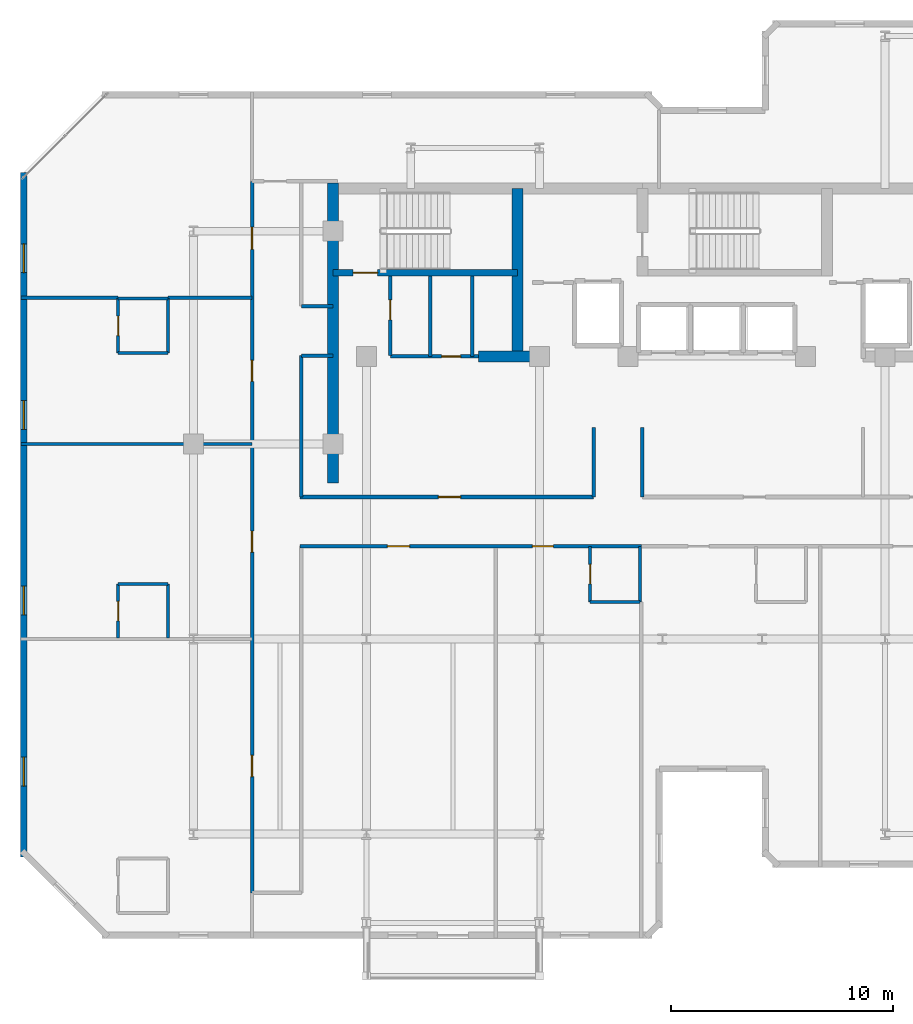
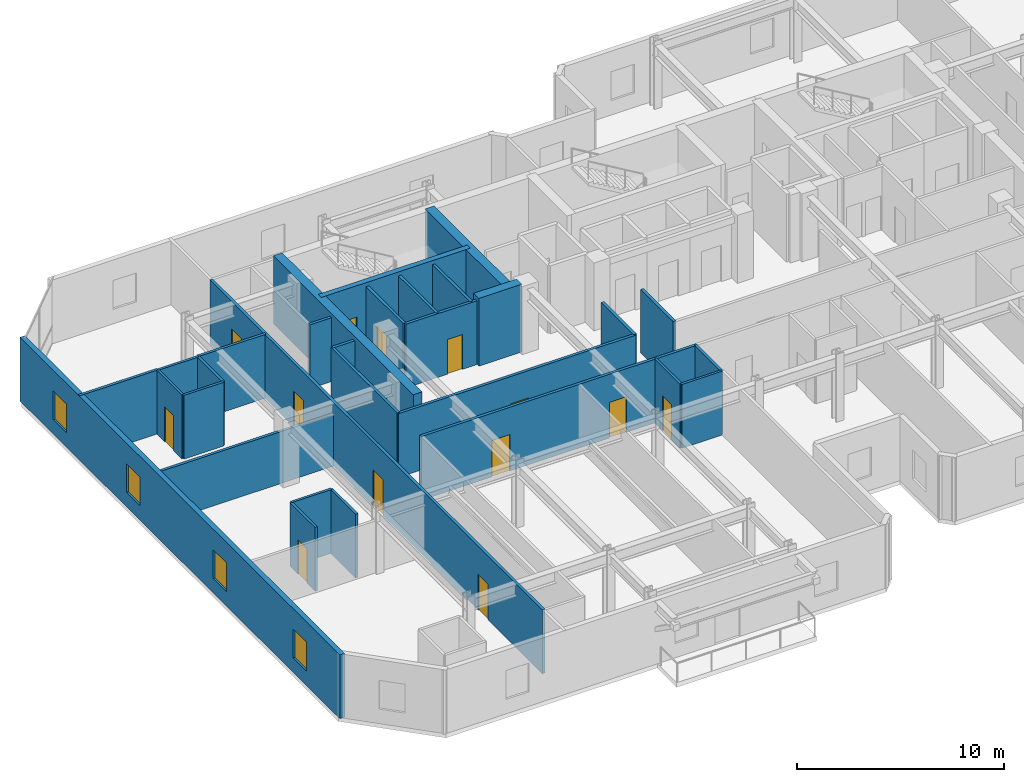
# One storey, part 4 of 10: 30 walls, 13 doors, 4 windows, 17 openings.
"""IFC4 building model written with IfcOpenShell, lengths in metres."""

from ifc_helpers import new_model, si_unit, direction, frame, frame_2d, origin, place, context, subcontext, project, spatial, rectangle, extrude, material, layer, layer_set, type_object, element, fill, save


model = new_model("IFC4")

# Units and contexts
model_context = context("Model", 3, precision=1e-05, world=origin(), true_north=direction((0.0, 1.0)))
body_context = subcontext(model_context, "Body", "Model", "MODEL_VIEW")
ifc_project = project(units=[si_unit("LENGTHUNIT", "METRE"), si_unit("AREAUNIT", "SQUARE_METRE"), si_unit("VOLUMEUNIT", "CUBIC_METRE"), si_unit("PLANEANGLEUNIT", "RADIAN"), si_unit("MASSUNIT", "GRAM", prefix="KILO")], contexts=[model_context])

# Site, building, storey
site_placement = place(None, origin())
site = spatial("IfcSite", under=ifc_project, at=site_placement, CompositionType="ELEMENT")
building_placement = place(site_placement, origin())
building = spatial("IfcBuilding", under=site, at=building_placement, Name="Kestravale Grand Hotel", CompositionType="ELEMENT")
storey_placement = place(building_placement, frame((0.0, 0.0, 273.39990234375)))
storey = spatial("IfcBuildingStorey", under=building, at=storey_placement, Name="L68", CompositionType="ELEMENT", Elevation=273.39990234375)

# Walls
ifc_material_1 = material(Name="Concrete f'c 50 MPa", Category="concrete")
ifc_layer_1 = layer(ifc_material_1, 0.5)
ifc_layer_set_1 = layer_set([ifc_layer_1], Name="EW-CORE-500")
wall_type_1 = type_object("IfcWallType", Name="EW-CORE-500", PredefinedType="SHEAR", material=ifc_layer_set_1)
wall_1_placement = place(storey_placement, frame((21.89990234375, 27.050048828125, 0.0), z_axis=(0.0, 0.0, 1.0), x_axis=(0.0, 1.0, 0.0)))
element("IfcWall", 1, at=wall_1_placement, inside=storey, type_object=wall_type_1, Name="L68 core shear wall W1", PredefinedType="SHEAR", context=body_context, shape_type="SweptSolid", body=[
    extrude(rectangle(XDim=13.52001953125, YDim=0.5, at=frame_2d((6.760009765625, 0.0))), origin(), (0.0, 0.0, 1.0), 4.0),
])
wall_2_placement = place(storey_placement, frame((28.449951171875, 32.75, 0.0), z_axis=(0.0, 0.0, 1.0), x_axis=(1.0, 0.0, 0.0)))
element("IfcWall", 2, at=wall_2_placement, inside=storey, type_object=wall_type_1, Name="L68 core shear wall S1", PredefinedType="SHEAR", context=body_context, shape_type="SweptSolid", body=[
    extrude(rectangle(XDim=2.400146484375, YDim=0.5, at=frame_2d((1.2001953125, 0.0))), origin(), (0.0, 0.0, 1.0), 4.0),
])
wall_3_placement = place(storey_placement, frame((30.219970703125, 33.0, 0.0), z_axis=(0.0, 0.0, 1.0), x_axis=(0.0, 1.0, 0.0)))
element("IfcWall", 3, at=wall_3_placement, inside=storey, type_object=wall_type_1, Name="L68 core shear wall X1", PredefinedType="SHEAR", context=body_context, shape_type="SweptSolid", body=[
    extrude(rectangle(XDim=7.320068359375, YDim=0.5, at=frame_2d((3.66015625, 0.0))), origin(), (0.0, 0.0, 1.0), 4.0),
])

# Wall, openings, windows
ifc_material_2 = material(Name="Precast concrete f'c 45 MPa", Category="concrete")
ifc_layer_2 = layer(ifc_material_2, 0.280029296875)
ifc_layer_set_2 = layer_set([ifc_layer_2], Name="EW-PREC-280")
wall_type_2 = type_object("IfcWallType", Name="EW-PREC-280", PredefinedType="SOLIDWALL", material=ifc_layer_set_2)
wall_4_placement = place(storey_placement, frame((7.93994140625, 41.0400390625, 0.0), z_axis=(0.0, 0.0, 1.0), x_axis=(0.0, -1.0, 0.0)))
wall_4 = element("IfcWall", 4, at=wall_4_placement, inside=storey, type_object=wall_type_2, Name="L68 fluted precast facade wall 19", PredefinedType="SOLIDWALL", context=body_context, shape_type="SweptSolid", body=[
    extrude(rectangle(XDim=30.880126953125, YDim=0.280029296875, at=frame_2d((15.43994140625, 0.0))), origin(), (0.0, 0.0, 1.0), 3.760009765625),
])
opening_1_placement = place(wall_4_placement, frame((3.2099609375, 0.0, 0.85009765625)))
opening_1 = element("IfcOpeningElement", 5, at=opening_1_placement, cuts=wall_4, Name="Opening W-GUEST-1300", PredefinedType="OPENING", context=body_context, shape_type="SweptSolid", body=[
    extrude(rectangle(XDim=1.300048828125, YDim=1.699951171875, at=frame_2d((0.64990234375, 0.85009765625))), frame((0.0, 0.14990234375, 0.0), z_axis=(0.0, -1.0, 0.0), x_axis=(1.0, 0.0, 0.0)), (0.0, 0.0, 1.0), 0.300048828125),
])
opening_2_placement = place(wall_4_placement, frame((10.280029296875, 0.0, 0.85009765625)))
opening_2 = element("IfcOpeningElement", 6, at=opening_2_placement, cuts=wall_4, Name="Opening W-GUEST-1300", PredefinedType="OPENING", context=body_context, shape_type="SweptSolid", body=[
    extrude(rectangle(XDim=1.300048828125, YDim=1.699951171875, at=frame_2d((0.64990234375, 0.85009765625))), frame((0.0, 0.14990234375, 0.0), z_axis=(0.0, -1.0, 0.0), x_axis=(1.0, 0.0, 0.0)), (0.0, 0.0, 1.0), 0.300048828125),
])
opening_3_placement = place(wall_4_placement, frame((18.64990234375, 0.0, 0.85009765625)))
opening_3 = element("IfcOpeningElement", 7, at=opening_3_placement, cuts=wall_4, Name="Opening W-GUEST-1300", PredefinedType="OPENING", context=body_context, shape_type="SweptSolid", body=[
    extrude(rectangle(XDim=1.300048828125, YDim=1.699951171875, at=frame_2d((0.64990234375, 0.85009765625))), frame((0.0, 0.14990234375, 0.0), z_axis=(0.0, -1.0, 0.0), x_axis=(1.0, 0.0, 0.0)), (0.0, 0.0, 1.0), 0.300048828125),
])
opening_4_placement = place(wall_4_placement, frame((26.3701171875, 0.0, 0.85009765625)))
opening_4 = element("IfcOpeningElement", 8, at=opening_4_placement, cuts=wall_4, Name="Opening W-GUEST-1300", PredefinedType="OPENING", context=body_context, shape_type="SweptSolid", body=[
    extrude(rectangle(XDim=1.300048828125, YDim=1.699951171875, at=frame_2d((0.64990234375, 0.85009765625))), frame((0.0, 0.14990234375, 0.0), z_axis=(0.0, -1.0, 0.0), x_axis=(1.0, 0.0, 0.0)), (0.0, 0.0, 1.0), 0.300048828125),
])
ifc_material_3 = material(Name="Insulated low-E double glazing in aluminium frame", Category="aluminium")
window_type = type_object("IfcWindowType", Name="W-GUEST-1300", PartitioningType="SINGLE_PANEL", PredefinedType="WINDOW", material=ifc_material_3)
window_1_placement = place(opening_1_placement, origin())
window_1 = element("IfcWindow", 9, at=window_1_placement, inside=storey, type_object=window_type, Name="L68 exterior window 19.1", OverallHeight=1.699951171875, OverallWidth=1.300048828125, PartitioningType="SINGLE_PANEL", PredefinedType="WINDOW", context=body_context, shape_type="SweptSolid", body=[
    extrude(rectangle(XDim=1.300048828125, YDim=1.699951171875, at=frame_2d((0.64990234375, 0.85009765625))), frame((0.0, 0.030029296875, 0.0), z_axis=(0.0, -1.0, 0.0), x_axis=(1.0, 0.0, 0.0)), (0.0, 0.0, 1.0), 0.06005859375),
])
fill(opening_1, window_1)
window_2_placement = place(opening_2_placement, origin())
window_2 = element("IfcWindow", 10, at=window_2_placement, inside=storey, type_object=window_type, Name="L68 exterior window 19.2", OverallHeight=1.699951171875, OverallWidth=1.300048828125, PartitioningType="SINGLE_PANEL", PredefinedType="WINDOW", context=body_context, shape_type="SweptSolid", body=[
    extrude(rectangle(XDim=1.300048828125, YDim=1.699951171875, at=frame_2d((0.64990234375, 0.85009765625))), frame((0.0, 0.030029296875, 0.0), z_axis=(0.0, -1.0, 0.0), x_axis=(1.0, 0.0, 0.0)), (0.0, 0.0, 1.0), 0.06005859375),
])
fill(opening_2, window_2)
window_3_placement = place(opening_3_placement, origin())
window_3 = element("IfcWindow", 11, at=window_3_placement, inside=storey, type_object=window_type, Name="L68 exterior window 19.3", OverallHeight=1.699951171875, OverallWidth=1.300048828125, PartitioningType="SINGLE_PANEL", PredefinedType="WINDOW", context=body_context, shape_type="SweptSolid", body=[
    extrude(rectangle(XDim=1.300048828125, YDim=1.699951171875, at=frame_2d((0.64990234375, 0.85009765625))), frame((0.0, 0.030029296875, 0.0), z_axis=(0.0, -1.0, 0.0), x_axis=(1.0, 0.0, 0.0)), (0.0, 0.0, 1.0), 0.06005859375),
])
fill(opening_3, window_3)
window_4_placement = place(opening_4_placement, origin())
window_4 = element("IfcWindow", 12, at=window_4_placement, inside=storey, type_object=window_type, Name="L68 exterior window 19.4", OverallHeight=1.699951171875, OverallWidth=1.300048828125, PartitioningType="SINGLE_PANEL", PredefinedType="WINDOW", context=body_context, shape_type="SweptSolid", body=[
    extrude(rectangle(XDim=1.300048828125, YDim=1.699951171875, at=frame_2d((0.64990234375, 0.85009765625))), frame((0.0, 0.030029296875, 0.0), z_axis=(0.0, -1.0, 0.0), x_axis=(1.0, 0.0, 0.0)), (0.0, 0.0, 1.0), 0.06005859375),
])
fill(opening_4, window_4)

# Wall, opening, door
ifc_material_4 = material(Name="Concrete f'c 45 MPa", Category="concrete")
ifc_layer_3 = layer(ifc_material_4, 0.300048828125)
ifc_layer_set_3 = layer_set([ifc_layer_3], Name="EW-STAIR-300")
wall_type_3 = type_object("IfcWallType", Name="EW-STAIR-300", PredefinedType="SHEAR", material=ifc_layer_set_3)
wall_5_placement = place(storey_placement, frame((21.89990234375, 36.52001953125, 0.0), z_axis=(0.0, 0.0, 1.0), x_axis=(1.0, 0.0, 0.0)))
wall_5 = element("IfcWall", 13, at=wall_5_placement, inside=storey, type_object=wall_type_3, Name="L68 stair enclosure shear wall SST1", PredefinedType="SHEAR", context=body_context, shape_type="SweptSolid", body=[
    extrude(rectangle(XDim=8.320068359375, YDim=0.300048828125, at=frame_2d((4.16015625, 0.0))), origin(), (0.0, 0.0, 1.0), 4.0),
])
opening_5_placement = place(wall_5_placement, frame((0.89990234375, 0.0, 0.0)))
opening_5 = element("IfcOpeningElement", 14, at=opening_5_placement, cuts=wall_5, Name="Opening D-ST-1100", PredefinedType="OPENING", context=body_context, shape_type="SweptSolid", body=[
    extrude(rectangle(XDim=1.10009765625, YDim=2.14990234375, at=frame_2d((0.550048828125, 1.074951171875))), frame((0.0, 0.159912109375, 0.0), z_axis=(0.0, -1.0, 0.0), x_axis=(1.0, 0.0, 0.0)), (0.0, 0.0, 1.0), 0.320068359375),
])
ifc_material_5 = material(Name="Galvanised 90-minute fire-rated steel stair door", Category="steel")
door_type_1 = type_object("IfcDoorType", Name="D-ST-1100", OperationType="NOTDEFINED", PredefinedType="DOOR", material=ifc_material_5)
door_1_placement = place(opening_5_placement, origin())
door_1 = element("IfcDoor", 15, at=door_1_placement, inside=storey, type_object=door_type_1, Name="L68 Stair ST-1 fire door", OperationType="SINGLE_SWING_RIGHT", OverallHeight=2.14990234375, OverallWidth=1.10009765625, PredefinedType="DOOR", context=body_context, shape_type="SweptSolid", body=[
    extrude(rectangle(XDim=1.10009765625, YDim=2.14990234375, at=frame_2d((0.550048828125, 1.074951171875))), frame((0.0, 0.02490234375, 0.0), z_axis=(0.0, -1.0, 0.0), x_axis=(1.0, 0.0, 0.0)), (0.0, 0.0, 1.0), 0.050048828125),
])
fill(opening_5, door_1)

ifc_material_6 = material(Name="Acoustic fire-rated gypsum board partition", Category="other")
ifc_layer_4 = layer(ifc_material_6, 0.159912109375)
ifc_layer_set_4 = layer_set([ifc_layer_4], Name="IW-CORR-160")
wall_type_4 = type_object("IfcWallType", Name="IW-CORR-160", PredefinedType="PARTITIONING", material=ifc_layer_set_4)
wall_6_placement = place(storey_placement, frame((24.47998046875, 32.800048828125, 0.0), z_axis=(0.0, 0.0, 1.0), x_axis=(0.0, 1.0, 0.0)))
wall_6 = element("IfcWall", 16, at=wall_6_placement, inside=storey, type_object=wall_type_4, Name="L68 west core vestibule wall", PredefinedType="PARTITIONING", context=body_context, shape_type="SweptSolid", body=[
    extrude(rectangle(XDim=3.570068359375, YDim=0.159912109375, at=frame_2d((1.78515625, 0.0))), origin(), (0.0, 0.0, 1.0), 3.760009765625),
])
opening_6_placement = place(wall_6_placement, frame((1.603515625, 0.0, 0.0)))
opening_6 = element("IfcOpeningElement", 17, at=opening_6_placement, cuts=wall_6, Name="Opening D-SH-900", PredefinedType="OPENING", context=body_context, shape_type="SweptSolid", body=[
    extrude(rectangle(XDim=0.89990234375, YDim=2.10009765625, at=frame_2d((0.449951171875, 1.050048828125))), frame((0.0, 0.08984375, 0.0), z_axis=(0.0, -1.0, 0.0), x_axis=(1.0, 0.0, 0.0)), (0.0, 0.0, 1.0), 0.179931640625),
])
ifc_material_7 = material(Name="Galvanised 90-minute shaft and service fire door", Category="steel")
door_type_2 = type_object("IfcDoorType", Name="D-SH-900", OperationType="NOTDEFINED", PredefinedType="DOOR", material=ifc_material_7)
door_2_placement = place(opening_6_placement, origin())
door_2 = element("IfcDoor", 18, at=door_2_placement, inside=storey, type_object=door_type_2, Name="D-L68-HK", OperationType="SINGLE_SWING_RIGHT", OverallHeight=2.10009765625, OverallWidth=0.89990234375, PredefinedType="DOOR", context=body_context, shape_type="SweptSolid", body=[
    extrude(rectangle(XDim=0.89990234375, YDim=2.10009765625, at=frame_2d((0.449951171875, 1.050048828125))), frame((0.0, 0.02490234375, 0.0), z_axis=(0.0, -1.0, 0.0), x_axis=(1.0, 0.0, 0.0)), (0.0, 0.0, 1.0), 0.050048828125),
])
fill(opening_6, door_2)

wall_7_placement = place(storey_placement, frame((24.47998046875, 32.75, 0.0), z_axis=(0.0, 0.0, 1.0), x_axis=(1.0, 0.0, 0.0)))
wall_7 = element("IfcWall", 19, at=wall_7_placement, inside=storey, type_object=wall_type_4, Name="W-L68-CWS", PredefinedType="PARTITIONING", context=body_context, shape_type="SweptSolid", body=[
    extrude(rectangle(XDim=3.969970703125, YDim=0.159912109375, at=frame_2d((1.98486328125, 0.0))), origin(), (0.0, 0.0, 1.0), 3.760009765625),
])
opening_7_placement = place(wall_7_placement, frame((2.31005859375, 0.0, 0.0)))
opening_7 = element("IfcOpeningElement", 20, at=opening_7_placement, cuts=wall_7, Name="Opening D-SH-860", PredefinedType="OPENING", context=body_context, shape_type="SweptSolid", body=[
    extrude(rectangle(XDim=0.860107421875, YDim=2.050048828125, at=frame_2d((0.43017578125, 1.02490234375))), frame((0.0, 0.08984375, 0.0), z_axis=(0.0, -1.0, 0.0), x_axis=(1.0, 0.0, 0.0)), (0.0, 0.0, 1.0), 0.179931640625),
])
ifc_material_8 = material(Name="Galvanised 90-minute riser fire door", Category="steel")
door_type_3 = type_object("IfcDoorType", Name="D-SH-860", OperationType="NOTDEFINED", PredefinedType="DOOR", material=ifc_material_8)
door_3_placement = place(opening_7_placement, origin())
door_3 = element("IfcDoor", 21, at=door_3_placement, inside=storey, type_object=door_type_3, Name="D-L68-IDF", OperationType="SINGLE_SWING_RIGHT", OverallHeight=2.050048828125, OverallWidth=0.860107421875, PredefinedType="DOOR", context=body_context, shape_type="SweptSolid", body=[
    extrude(rectangle(XDim=0.860107421875, YDim=2.050048828125, at=frame_2d((0.43017578125, 1.02490234375))), frame((0.0, 0.02490234375, 0.0), z_axis=(0.0, -1.0, 0.0), x_axis=(1.0, 0.0, 0.0)), (0.0, 0.0, 1.0), 0.050048828125),
])
fill(opening_7, door_3)

wall_8_placement = place(storey_placement, frame((20.39990234375, 26.409912109375, 0.0), z_axis=(0.0, 0.0, 1.0), x_axis=(1.0, 0.0, 0.0)))
wall_8 = element("IfcWall", 22, at=wall_8_placement, inside=storey, type_object=wall_type_4, Name="W-L68-CW-N", PredefinedType="PARTITIONING", context=body_context, shape_type="SweptSolid", body=[
    extrude(rectangle(XDim=13.25, YDim=0.159912109375, at=frame_2d((6.625, 0.0))), origin(), (0.0, 0.0, 1.0), 3.760009765625),
])
opening_8_placement = place(wall_8_placement, frame((6.25, 0.0, 0.0)))
opening_8 = element("IfcOpeningElement", 23, at=opening_8_placement, cuts=wall_8, Name="Opening D-GUEST-1000", PredefinedType="OPENING", context=body_context, shape_type="SweptSolid", body=[
    extrude(rectangle(XDim=1.0, YDim=2.14990234375, at=frame_2d((0.5, 1.074951171875))), frame((0.0, 0.08984375, 0.0), z_axis=(0.0, -1.0, 0.0), x_axis=(1.0, 0.0, 0.0)), (0.0, 0.0, 1.0), 0.179931640625),
])
ifc_material_9 = material(Name="Accessible walnut veneer hotel entrance fire door", Category="wood")
door_type_4 = type_object("IfcDoorType", Name="D-GUEST-1000", OperationType="NOTDEFINED", PredefinedType="DOOR", material=ifc_material_9)
door_4_placement = place(opening_8_placement, origin())
door_4 = element("IfcDoor", 24, at=door_4_placement, inside=storey, type_object=door_type_4, Name="D-L68-RECL-W", OperationType="SINGLE_SWING_LEFT", OverallHeight=2.14990234375, OverallWidth=1.0, PredefinedType="DOOR", context=body_context, shape_type="SweptSolid", body=[
    extrude(rectangle(XDim=1.0, YDim=2.14990234375, at=frame_2d((0.5, 1.074951171875))), frame((0.0, 0.02490234375, 0.0), z_axis=(0.0, -1.0, 0.0), x_axis=(1.0, 0.0, 0.0)), (0.0, 0.0, 1.0), 0.050048828125),
])
fill(opening_8, door_4)

# Walls
for number, where, z_axis, x_axis, name in (
    (25, (33.64990234375, 26.409912109375, 0.0), (0.0, 0.0, 1.0), (0.0, 1.0, 0.0), "W-L68-TRUNK-W"),
    (26, (35.85009765625, 26.409912109375, 0.0), (0.0, 0.0, 1.0), (0.0, 1.0, 0.0), "W-L68-TRUNK-E"),
):
    element("IfcWall", number, at=place(storey_placement, frame(where, z_axis=z_axis, x_axis=x_axis)), inside=storey, type_object=wall_type_4, Name=name, PredefinedType="PARTITIONING", context=body_context, shape_type="SweptSolid", body=[
        extrude(rectangle(XDim=3.14013671875, YDim=0.159912109375, at=frame_2d((1.570068359375, 0.0))), origin(), (0.0, 0.0, 1.0), 3.760009765625),
    ])

# Wall, openings, doors
wall_9_placement = place(storey_placement, frame((20.39990234375, 24.18994140625, 0.0), z_axis=(0.0, 0.0, 1.0), x_axis=(1.0, 0.0, 0.0)))
wall_9 = element("IfcWall", 27, at=wall_9_placement, inside=storey, type_object=wall_type_4, Name="W-L68-CW-S", PredefinedType="PARTITIONING", context=body_context, shape_type="SweptSolid", body=[
    extrude(rectangle(XDim=15.400146484375, YDim=0.159912109375, at=frame_2d((7.7001953125, 0.0))), origin(), (0.0, 0.0, 1.0), 3.760009765625),
])
opening_9_placement = place(wall_9_placement, frame((3.945068359375, 0.0, 0.0)))
opening_9 = element("IfcOpeningElement", 28, at=opening_9_placement, cuts=wall_9, Name="Opening D-GUEST-1000", PredefinedType="OPENING", context=body_context, shape_type="SweptSolid", body=[
    extrude(rectangle(XDim=1.0, YDim=2.14990234375, at=frame_2d((0.5, 1.074951171875))), frame((0.0, 0.08984375, 0.0), z_axis=(0.0, -1.0, 0.0), x_axis=(1.0, 0.0, 0.0)), (0.0, 0.0, 1.0), 0.179931640625),
])
opening_10_placement = place(wall_9_placement, frame((10.485107421875, 0.0, 0.0)))
opening_10 = element("IfcOpeningElement", 29, at=opening_10_placement, cuts=wall_9, Name="Opening D-GUEST-950", PredefinedType="OPENING", context=body_context, shape_type="SweptSolid", body=[
    extrude(rectangle(XDim=0.949951171875, YDim=2.10009765625, at=frame_2d((0.47509765625, 1.050048828125))), frame((0.0, 0.08984375, 0.0), z_axis=(0.0, -1.0, 0.0), x_axis=(1.0, 0.0, 0.0)), (0.0, 0.0, 1.0), 0.179931640625),
])
door_5_placement = place(opening_9_placement, origin())
door_5 = element("IfcDoor", 30, at=door_5_placement, inside=storey, type_object=door_type_4, Name="D-L68-AMW", OperationType="SINGLE_SWING_RIGHT", OverallHeight=2.14990234375, OverallWidth=1.0, PredefinedType="DOOR", context=body_context, shape_type="SweptSolid", body=[
    extrude(rectangle(XDim=1.0, YDim=2.14990234375, at=frame_2d((0.5, 1.074951171875))), frame((0.0, 0.02490234375, 0.0), z_axis=(0.0, -1.0, 0.0), x_axis=(1.0, 0.0, 0.0)), (0.0, 0.0, 1.0), 0.050048828125),
])
fill(opening_9, door_5)
ifc_material_10 = material(Name="Walnut veneer hotel guestroom entrance fire door", Category="wood")
door_type_5 = type_object("IfcDoorType", Name="D-GUEST-950", OperationType="NOTDEFINED", PredefinedType="DOOR", material=ifc_material_10)
door_6_placement = place(opening_10_placement, origin())
door_6 = element("IfcDoor", 31, at=door_6_placement, inside=storey, type_object=door_type_5, Name="D-L68-U01-ENT", OperationType="SINGLE_SWING_RIGHT", OverallHeight=2.10009765625, OverallWidth=0.949951171875, PredefinedType="DOOR", context=body_context, shape_type="SweptSolid", body=[
    extrude(rectangle(XDim=0.949951171875, YDim=2.10009765625, at=frame_2d((0.47509765625, 1.050048828125))), frame((0.0, 0.02490234375, 0.0), z_axis=(0.0, -1.0, 0.0), x_axis=(1.0, 0.0, 0.0)), (0.0, 0.0, 1.0), 0.050048828125),
])
fill(opening_10, door_6)

wall_10_placement = place(storey_placement, frame((18.239990234375, 8.550048828125, 0.0), z_axis=(0.0, 0.0, 1.0), x_axis=(0.0, 1.0, 0.0)))
wall_10 = element("IfcWall", 32, at=wall_10_placement, inside=storey, type_object=wall_type_4, Name="W-L68-SW-W", PredefinedType="PARTITIONING", context=body_context, shape_type="SweptSolid", body=[
    extrude(rectangle(XDim=32.099853515625, YDim=0.159912109375, at=frame_2d((16.0498046875, 0.0))), origin(), (0.0, 0.0, 1.0), 3.760009765625),
])
opening_11_placement = place(wall_10_placement, frame((5.25, 0.0, 0.0)))
opening_11 = element("IfcOpeningElement", 33, at=opening_11_placement, cuts=wall_10, Name="Opening D-GUEST-950", PredefinedType="OPENING", context=body_context, shape_type="SweptSolid", body=[
    extrude(rectangle(XDim=0.949951171875, YDim=2.10009765625, at=frame_2d((0.47509765625, 1.050048828125))), frame((0.0, 0.08984375, 0.0), z_axis=(0.0, -1.0, 0.0), x_axis=(1.0, 0.0, 0.0)), (0.0, 0.0, 1.0), 0.179931640625),
])
opening_12_placement = place(wall_10_placement, frame((15.375, 0.0, 0.0)))
opening_12 = element("IfcOpeningElement", 34, at=opening_12_placement, cuts=wall_10, Name="Opening D-GUEST-950", PredefinedType="OPENING", context=body_context, shape_type="SweptSolid", body=[
    extrude(rectangle(XDim=0.949951171875, YDim=2.10009765625, at=frame_2d((0.47509765625, 1.050048828125))), frame((0.0, 0.08984375, 0.0), z_axis=(0.0, -1.0, 0.0), x_axis=(1.0, 0.0, 0.0)), (0.0, 0.0, 1.0), 0.179931640625),
])
opening_13_placement = place(wall_10_placement, frame((23.074951171875, 0.0, 0.0)))
opening_13 = element("IfcOpeningElement", 35, at=opening_13_placement, cuts=wall_10, Name="Opening D-GUEST-950", PredefinedType="OPENING", context=body_context, shape_type="SweptSolid", body=[
    extrude(rectangle(XDim=0.949951171875, YDim=2.10009765625, at=frame_2d((0.47509765625, 1.050048828125))), frame((0.0, 0.08984375, 0.0), z_axis=(0.0, -1.0, 0.0), x_axis=(1.0, 0.0, 0.0)), (0.0, 0.0, 1.0), 0.179931640625),
])
opening_14_placement = place(wall_10_placement, frame((29.030029296875, 0.0, 0.0)))
opening_14 = element("IfcOpeningElement", 36, at=opening_14_placement, cuts=wall_10, Name="Opening D-GUEST-1000", PredefinedType="OPENING", context=body_context, shape_type="SweptSolid", body=[
    extrude(rectangle(XDim=1.0, YDim=2.14990234375, at=frame_2d((0.5, 1.074951171875))), frame((0.0, 0.08984375, 0.0), z_axis=(0.0, -1.0, 0.0), x_axis=(1.0, 0.0, 0.0)), (0.0, 0.0, 1.0), 0.179931640625),
])
door_7_placement = place(opening_14_placement, origin())
door_7 = element("IfcDoor", 37, at=door_7_placement, inside=storey, type_object=door_type_4, Name="D-L68-AMWW", OperationType="SINGLE_SWING_RIGHT", OverallHeight=2.14990234375, OverallWidth=1.0, PredefinedType="DOOR", context=body_context, shape_type="SweptSolid", body=[
    extrude(rectangle(XDim=1.0, YDim=2.14990234375, at=frame_2d((0.5, 1.074951171875))), frame((0.0, 0.02490234375, 0.0), z_axis=(0.0, -1.0, 0.0), x_axis=(1.0, 0.0, 0.0)), (0.0, 0.0, 1.0), 0.050048828125),
])
fill(opening_14, door_7)
door_8_placement = place(opening_11_placement, origin())
door_8 = element("IfcDoor", 38, at=door_8_placement, inside=storey, type_object=door_type_5, Name="D-L68-U04-ENT", OperationType="SINGLE_SWING_LEFT", OverallHeight=2.10009765625, OverallWidth=0.949951171875, PredefinedType="DOOR", context=body_context, shape_type="SweptSolid", body=[
    extrude(rectangle(XDim=0.949951171875, YDim=2.10009765625, at=frame_2d((0.47509765625, 1.050048828125))), frame((0.0, 0.02490234375, 0.0), z_axis=(0.0, -1.0, 0.0), x_axis=(1.0, 0.0, 0.0)), (0.0, 0.0, 1.0), 0.050048828125),
])
fill(opening_11, door_8)
door_9_placement = place(opening_12_placement, origin())
door_9 = element("IfcDoor", 39, at=door_9_placement, inside=storey, type_object=door_type_5, Name="D-L68-U05-ENT", OperationType="SINGLE_SWING_LEFT", OverallHeight=2.10009765625, OverallWidth=0.949951171875, PredefinedType="DOOR", context=body_context, shape_type="SweptSolid", body=[
    extrude(rectangle(XDim=0.949951171875, YDim=2.10009765625, at=frame_2d((0.47509765625, 1.050048828125))), frame((0.0, 0.02490234375, 0.0), z_axis=(0.0, -1.0, 0.0), x_axis=(1.0, 0.0, 0.0)), (0.0, 0.0, 1.0), 0.050048828125),
])
fill(opening_12, door_9)
door_10_placement = place(opening_13_placement, origin())
door_10 = element("IfcDoor", 40, at=door_10_placement, inside=storey, type_object=door_type_5, Name="D-L68-U06-ENT", OperationType="SINGLE_SWING_LEFT", OverallHeight=2.10009765625, OverallWidth=0.949951171875, PredefinedType="DOOR", context=body_context, shape_type="SweptSolid", body=[
    extrude(rectangle(XDim=0.949951171875, YDim=2.10009765625, at=frame_2d((0.47509765625, 1.050048828125))), frame((0.0, 0.02490234375, 0.0), z_axis=(0.0, -1.0, 0.0), x_axis=(1.0, 0.0, 0.0)), (0.0, 0.0, 1.0), 0.050048828125),
])
fill(opening_13, door_10)

# Walls
for number, where, z_axis, x_axis, name in (
    (41, (20.4599609375, 35.02001953125, 0.0), (0.0, 0.0, 1.0), (1.0, 0.0, 0.0), "W-L68-SW-CN"),
    (42, (20.4599609375, 32.780029296875, 0.0), (0.0, 0.0, 1.0), (1.0, 0.0, 0.0), "W-L68-SW-CS"),
):
    element("IfcWall", number, at=place(storey_placement, frame(where, z_axis=z_axis, x_axis=x_axis)), inside=storey, type_object=wall_type_4, Name=name, PredefinedType="PARTITIONING", context=body_context, shape_type="SweptSolid", body=[
        extrude(rectangle(XDim=1.43994140625, YDim=0.159912109375, at=frame_2d((0.719970703125, 0.0))), origin(), (0.0, 0.0, 1.0), 3.760009765625),
    ])

# Wall, opening, door
ifc_material_11 = material(Name="Moisture-resistant tile-backer plumbing chase wall", Category="other")
ifc_layer_5 = layer(ifc_material_11, 0.139892578125)
ifc_layer_set_5 = layer_set([ifc_layer_5], Name="IW-PLB-140")
wall_type_5 = type_object("IfcWallType", Name="IW-PLB-140", PredefinedType="PLUMBINGWALL", material=ifc_layer_set_5)
wall_11_placement = place(storey_placement, frame((33.489990234375, 21.679931640625, 0.0), z_axis=(0.0, 0.0, 1.0), x_axis=(0.0, 1.0, 0.0)))
wall_11 = element("IfcWall", 43, at=wall_11_placement, inside=storey, type_object=wall_type_5, Name="W-L68-U01-BW", PredefinedType="PLUMBINGWALL", context=body_context, shape_type="SweptSolid", body=[
    extrude(rectangle(XDim=2.489990234375, YDim=0.139892578125, at=frame_2d((1.2451171875, 0.0))), origin(), (0.0, 0.0, 1.0), 3.760009765625),
])
opening_15_placement = place(wall_11_placement, frame((0.804931640625, 0.0, 0.0)))
opening_15 = element("IfcOpeningElement", 44, at=opening_15_placement, cuts=wall_11, Name="Opening D-BATH-880", PredefinedType="OPENING", context=body_context, shape_type="SweptSolid", body=[
    extrude(rectangle(XDim=0.8798828125, YDim=2.050048828125, at=frame_2d((0.43994140625, 1.02490234375))), frame((0.0, 0.079833984375, 0.0), z_axis=(0.0, -1.0, 0.0), x_axis=(1.0, 0.0, 0.0)), (0.0, 0.0, 1.0), 0.159912109375),
])
ifc_material_12 = material(Name="Moisture-sealed walnut en-suite bathroom door", Category="wood")
door_type_6 = type_object("IfcDoorType", Name="D-BATH-880", OperationType="NOTDEFINED", PredefinedType="DOOR", material=ifc_material_12)
door_11_placement = place(opening_15_placement, origin())
door_11 = element("IfcDoor", 45, at=door_11_placement, inside=storey, type_object=door_type_6, Name="D-L68-U01-BATH", OperationType="SINGLE_SWING_LEFT", OverallHeight=2.050048828125, OverallWidth=0.8798828125, PredefinedType="DOOR", context=body_context, shape_type="SweptSolid", body=[
    extrude(rectangle(XDim=0.8798828125, YDim=2.050048828125, at=frame_2d((0.43994140625, 1.02490234375))), frame((0.0, 0.02490234375, 0.0), z_axis=(0.0, -1.0, 0.0), x_axis=(1.0, 0.0, 0.0)), (0.0, 0.0, 1.0), 0.050048828125),
])
fill(opening_15, door_11)

# Walls
wall_12_placement = place(storey_placement, frame((35.739990234375, 21.679931640625, 0.0), z_axis=(0.0, 0.0, 1.0), x_axis=(0.0, 1.0, 0.0)))
element("IfcWall", 46, at=wall_12_placement, inside=storey, type_object=wall_type_5, Name="W-L68-U01-BE", PredefinedType="PLUMBINGWALL", context=body_context, shape_type="SweptSolid", body=[
    extrude(rectangle(XDim=2.489990234375, YDim=0.139892578125, at=frame_2d((1.2451171875, 0.0))), origin(), (0.0, 0.0, 1.0), 3.760009765625),
])
wall_13_placement = place(storey_placement, frame((33.489990234375, 21.679931640625, 0.0), z_axis=(0.0, 0.0, 1.0), x_axis=(1.0, 0.0, 0.0)))
element("IfcWall", 47, at=wall_13_placement, inside=storey, type_object=wall_type_5, Name="W-L68-U01-BS", PredefinedType="PLUMBINGWALL", context=body_context, shape_type="SweptSolid", body=[
    extrude(rectangle(XDim=2.25, YDim=0.139892578125, at=frame_2d((1.125, 0.0))), origin(), (0.0, 0.0, 1.0), 3.760009765625),
])

# Wall, opening, door
wall_14_placement = place(storey_placement, frame((12.199951171875, 20.0400390625, 0.0), z_axis=(0.0, 0.0, 1.0), x_axis=(0.0, 1.0, 0.0)))
wall_14 = element("IfcWall", 48, at=wall_14_placement, inside=storey, type_object=wall_type_5, Name="W-L68-U05-BW", PredefinedType="PLUMBINGWALL", context=body_context, shape_type="SweptSolid", body=[
    extrude(rectangle(XDim=2.449951171875, YDim=0.139892578125, at=frame_2d((1.22509765625, 0.0))), origin(), (0.0, 0.0, 1.0), 3.760009765625),
])
opening_16_placement = place(wall_14_placement, frame((0.784912109375, 0.0, 0.0)))
opening_16 = element("IfcOpeningElement", 49, at=opening_16_placement, cuts=wall_14, Name="Opening D-BATH-880", PredefinedType="OPENING", context=body_context, shape_type="SweptSolid", body=[
    extrude(rectangle(XDim=0.8798828125, YDim=2.050048828125, at=frame_2d((0.43994140625, 1.02490234375))), frame((0.0, 0.079833984375, 0.0), z_axis=(0.0, -1.0, 0.0), x_axis=(1.0, 0.0, 0.0)), (0.0, 0.0, 1.0), 0.159912109375),
])
door_12_placement = place(opening_16_placement, origin())
door_12 = element("IfcDoor", 50, at=door_12_placement, inside=storey, type_object=door_type_6, Name="D-L68-U05-BATH", OperationType="SINGLE_SWING_RIGHT", OverallHeight=2.050048828125, OverallWidth=0.8798828125, PredefinedType="DOOR", context=body_context, shape_type="SweptSolid", body=[
    extrude(rectangle(XDim=0.8798828125, YDim=2.050048828125, at=frame_2d((0.43994140625, 1.02490234375))), frame((0.0, 0.02490234375, 0.0), z_axis=(0.0, -1.0, 0.0), x_axis=(1.0, 0.0, 0.0)), (0.0, 0.0, 1.0), 0.050048828125),
])
fill(opening_16, door_12)

# Walls
wall_15_placement = place(storey_placement, frame((14.449951171875, 20.0400390625, 0.0), z_axis=(0.0, 0.0, 1.0), x_axis=(0.0, 1.0, 0.0)))
element("IfcWall", 51, at=wall_15_placement, inside=storey, type_object=wall_type_5, Name="W-L68-U05-BE", PredefinedType="PLUMBINGWALL", context=body_context, shape_type="SweptSolid", body=[
    extrude(rectangle(XDim=2.449951171875, YDim=0.139892578125, at=frame_2d((1.22509765625, 0.0))), origin(), (0.0, 0.0, 1.0), 3.760009765625),
])
wall_16_placement = place(storey_placement, frame((12.199951171875, 22.489990234375, 0.0), z_axis=(0.0, 0.0, 1.0), x_axis=(1.0, 0.0, 0.0)))
element("IfcWall", 52, at=wall_16_placement, inside=storey, type_object=wall_type_5, Name="W-L68-U05-BN", PredefinedType="PLUMBINGWALL", context=body_context, shape_type="SweptSolid", body=[
    extrude(rectangle(XDim=2.25, YDim=0.139892578125, at=frame_2d((1.125, 0.0))), origin(), (0.0, 0.0, 1.0), 3.760009765625),
])

# Wall, opening, door
wall_17_placement = place(storey_placement, frame((12.199951171875, 32.909912109375, 0.0), z_axis=(0.0, 0.0, 1.0), x_axis=(0.0, 1.0, 0.0)))
wall_17 = element("IfcWall", 53, at=wall_17_placement, inside=storey, type_object=wall_type_5, Name="W-L68-U06-BW", PredefinedType="PLUMBINGWALL", context=body_context, shape_type="SweptSolid", body=[
    extrude(rectangle(XDim=2.4501953125, YDim=0.139892578125, at=frame_2d((1.22509765625, 0.0))), origin(), (0.0, 0.0, 1.0), 3.760009765625),
])
opening_17_placement = place(wall_17_placement, frame((0.784912109375, 0.0, 0.0)))
opening_17 = element("IfcOpeningElement", 54, at=opening_17_placement, cuts=wall_17, Name="Opening D-BATH-880", PredefinedType="OPENING", context=body_context, shape_type="SweptSolid", body=[
    extrude(rectangle(XDim=0.8798828125, YDim=2.050048828125, at=frame_2d((0.43994140625, 1.02490234375))), frame((0.0, 0.079833984375, 0.0), z_axis=(0.0, -1.0, 0.0), x_axis=(1.0, 0.0, 0.0)), (0.0, 0.0, 1.0), 0.159912109375),
])
door_13_placement = place(opening_17_placement, origin())
door_13 = element("IfcDoor", 55, at=door_13_placement, inside=storey, type_object=door_type_6, Name="D-L68-U06-BATH", OperationType="SINGLE_SWING_RIGHT", OverallHeight=2.050048828125, OverallWidth=0.8798828125, PredefinedType="DOOR", context=body_context, shape_type="SweptSolid", body=[
    extrude(rectangle(XDim=0.8798828125, YDim=2.050048828125, at=frame_2d((0.43994140625, 1.02490234375))), frame((0.0, 0.02490234375, 0.0), z_axis=(0.0, -1.0, 0.0), x_axis=(1.0, 0.0, 0.0)), (0.0, 0.0, 1.0), 0.050048828125),
])
fill(opening_17, door_13)

# Walls
wall_18_placement = place(storey_placement, frame((14.449951171875, 32.909912109375, 0.0), z_axis=(0.0, 0.0, 1.0), x_axis=(0.0, 1.0, 0.0)))
element("IfcWall", 56, at=wall_18_placement, inside=storey, type_object=wall_type_5, Name="W-L68-U06-BE", PredefinedType="PLUMBINGWALL", context=body_context, shape_type="SweptSolid", body=[
    extrude(rectangle(XDim=2.4501953125, YDim=0.139892578125, at=frame_2d((1.22509765625, 0.0))), origin(), (0.0, 0.0, 1.0), 3.760009765625),
])
for number, where, z_axis, x_axis, name in (
    (57, (12.199951171875, 32.909912109375, 0.0), (0.0, 0.0, 1.0), (1.0, 0.0, 0.0), "W-L68-U06-BS"),
    (58, (12.199951171875, 35.360107421875, 0.0), (0.0, 0.0, 1.0), (1.0, 0.0, 0.0), "W-L68-U06-BN"),
):
    element("IfcWall", number, at=place(storey_placement, frame(where, z_axis=z_axis, x_axis=x_axis)), inside=storey, type_object=wall_type_5, Name=name, PredefinedType="PLUMBINGWALL", context=body_context, shape_type="SweptSolid", body=[
        extrude(rectangle(XDim=2.25, YDim=0.139892578125, at=frame_2d((1.125, 0.0))), origin(), (0.0, 0.0, 1.0), 3.760009765625),
    ])
ifc_material_13 = material(Name="Double-stud STC 52 acoustic demising partition", Category="other")
ifc_layer_6 = layer(ifc_material_13, 0.14990234375)
ifc_layer_set_6 = layer_set([ifc_layer_6], Name="IW-UNIT-150")
wall_type_6 = type_object("IfcWallType", Name="IW-UNIT-150", PredefinedType="PARTITIONING", material=ifc_layer_set_6)
for number, where, z_axis, x_axis, name in (
    (59, (26.280029296875, 32.75, 0.0), (0.0, 0.0, 1.0), (0.0, 1.0, 0.0), "W-L68-CC1-1"),
    (60, (28.179931640625, 32.75, 0.0), (0.0, 0.0, 1.0), (0.0, 1.0, 0.0), "W-L68-CC1-2"),
):
    element("IfcWall", number, at=place(storey_placement, frame(where, z_axis=z_axis, x_axis=x_axis)), inside=storey, type_object=wall_type_6, Name=name, PredefinedType="PARTITIONING", context=body_context, shape_type="SweptSolid", body=[
        extrude(rectangle(XDim=3.6201171875, YDim=0.14990234375, at=frame_2d((1.81005859375, 0.0))), origin(), (0.0, 0.0, 1.0), 3.760009765625),
    ])
wall_19_placement = place(storey_placement, frame((20.4599609375, 26.409912109375, 0.0), z_axis=(0.0, 0.0, 1.0), x_axis=(0.0, 1.0, 0.0)))
element("IfcWall", 61, at=wall_19_placement, inside=storey, type_object=wall_type_6, Name="W-L68-RCLW-W", PredefinedType="PARTITIONING", context=body_context, shape_type="SweptSolid", body=[
    extrude(rectangle(XDim=6.39013671875, YDim=0.14990234375, at=frame_2d((3.195068359375, 0.0))), origin(), (0.0, 0.0, 1.0), 3.760009765625),
])
wall_20_placement = place(storey_placement, frame((7.820068359375, 28.800048828125, 0.0), z_axis=(0.0, 0.0, 1.0), x_axis=(1.0, 0.0, 0.0)))
element("IfcWall", 62, at=wall_20_placement, inside=storey, type_object=wall_type_6, Name="W-L68-WW-2", PredefinedType="PARTITIONING", context=body_context, shape_type="SweptSolid", body=[
    extrude(rectangle(XDim=10.419921875, YDim=0.14990234375, at=frame_2d((5.2099609375, 0.0))), origin(), (0.0, 0.0, 1.0), 3.064208984375),
])
wall_21_placement = place(storey_placement, frame((7.820068359375, 35.39990234375, 0.0), z_axis=(0.0, 0.0, 1.0), x_axis=(1.0, 0.0, 0.0)))
element("IfcWall", 63, at=wall_21_placement, inside=storey, type_object=wall_type_6, Name="W-L68-WW-3", PredefinedType="PARTITIONING", context=body_context, shape_type="SweptSolid", body=[
    extrude(rectangle(XDim=4.3798828125, YDim=0.14990234375, at=frame_2d((2.18994140625, 0.0))), origin(), (0.0, 0.0, 1.0), 3.760009765625),
])
wall_22_placement = place(storey_placement, frame((14.449951171875, 35.39990234375, 0.0), z_axis=(0.0, 0.0, 1.0), x_axis=(1.0, 0.0, 0.0)))
element("IfcWall", 64, at=wall_22_placement, inside=storey, type_object=wall_type_6, Name="W-L68-WW-3", PredefinedType="PARTITIONING", context=body_context, shape_type="SweptSolid", body=[
    extrude(rectangle(XDim=3.7900390625, YDim=0.14990234375, at=frame_2d((1.89501953125, 0.0))), origin(), (0.0, 0.0, 1.0), 3.760009765625),
])

save(model, "model.ifc")
